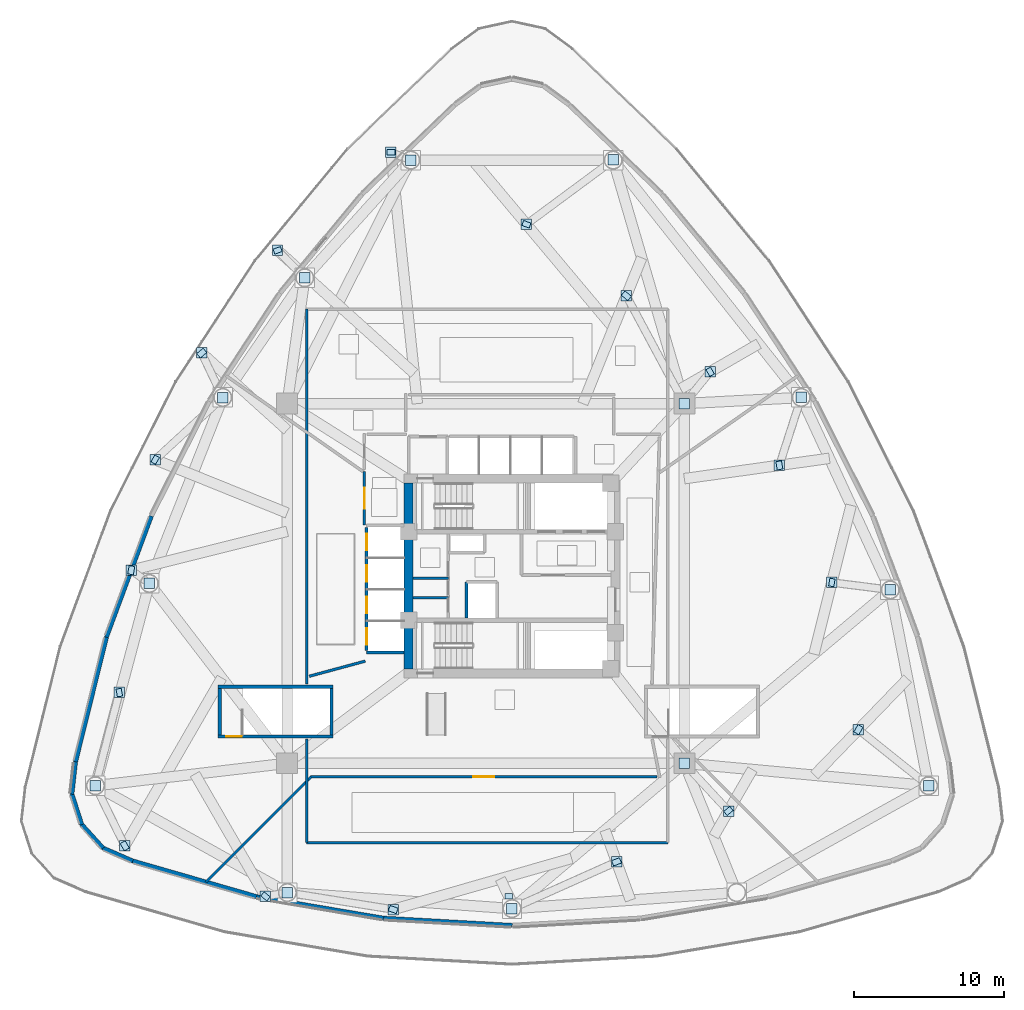
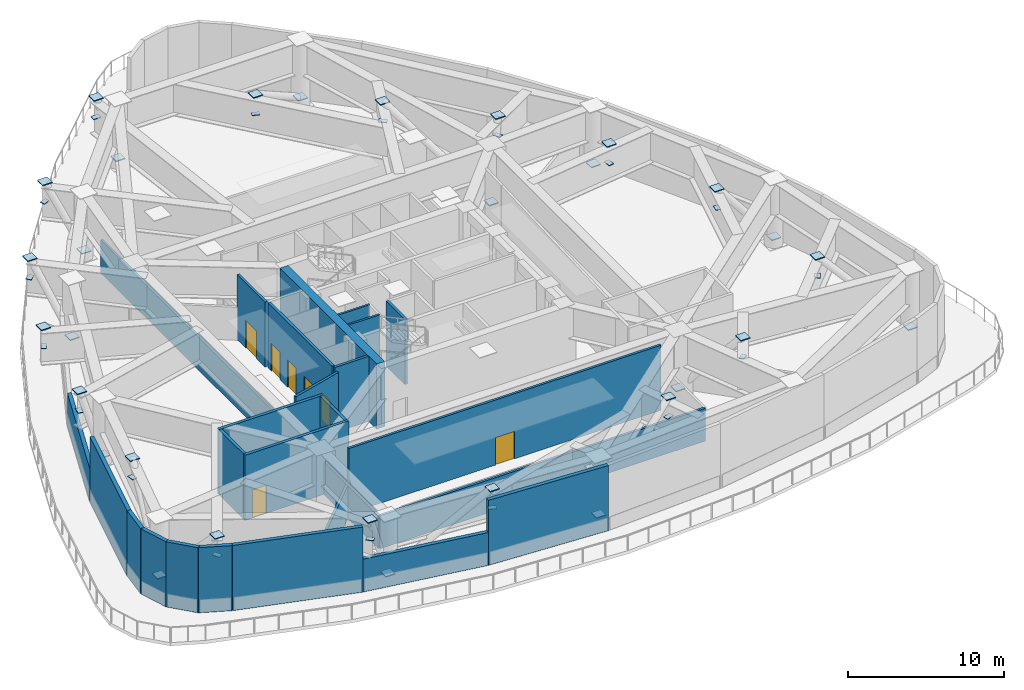
# One storey, part 3 of 9: 48 plates, 26 walls, 7 doors, 7 openings.
"""IFC4 building model written with IfcOpenShell, lengths in metres."""

from ifc_helpers import new_model, si_unit, direction, frame, frame_2d, origin, origin_2d, place, context, subcontext, project, spatial, rectangle, extrude, source, transform, mapped, material, layer, layer_set, type_object, type_shapes, element, fill, save


model = new_model("IFC4")

# Units and contexts
model_context = context("Model", 3, precision=1e-05, world=origin(), true_north=direction((0.0, 1.0)))
body_context = subcontext(model_context, "Body", "Model", "MODEL_VIEW")
ifc_project = project(units=[si_unit("LENGTHUNIT", "METRE"), si_unit("AREAUNIT", "SQUARE_METRE"), si_unit("VOLUMEUNIT", "CUBIC_METRE"), si_unit("PLANEANGLEUNIT", "RADIAN"), si_unit("MASSUNIT", "GRAM", prefix="KILO")], contexts=[model_context])

# Site, building, storey
site_placement = place(None, origin())
site = spatial("IfcSite", under=ifc_project, at=site_placement, CompositionType="ELEMENT")
building_placement = place(site_placement, origin())
building = spatial("IfcBuilding", under=site, at=building_placement, Name="Tavelor Broadcast Tower", CompositionType="ELEMENT")
storey_placement = place(building_placement, frame((0.0, 0.0, 22.199951171875)))
storey = spatial("IfcBuildingStorey", under=building, at=storey_placement, Name="L04", CompositionType="ELEMENT", Elevation=22.199951171875)

# Plates
ifc_material_1 = material(Name="Steel S460", Category="steel")
ifc_layer_1 = layer(ifc_material_1, 0.050048828125)
ifc_layer_set_1 = layer_set([ifc_layer_1], Name="Steel S460")
plate_type_1 = type_object("IfcPlateType", Name="Tube Hollow-End Cap Plate KN05 700x700x50", PredefinedType="USERDEFINED", material=ifc_layer_set_1)
shared_shape_1 = source(origin(), body_context, "Body", "SweptSolid", [
    extrude(rectangle(XDim=0.699951171875, YDim=0.699951171875, at=origin_2d()), origin(), (0.0, 0.0, 1.0), 0.074951171875),
])
type_shapes(plate_type_1, [shared_shape_1])
for number, where, z_axis, x_axis, name in (
    (1, (43.251220703125, 72.74951171875, 0.498046875), (0.0, 0.0, 1.0), (1.0, 0.0, 0.0), "L04 Hollow End Cap Plate KN05 #189"),
    (2, (41.919189453125, 73.267822265625, 5.376953125), (0.0, 0.0, 1.0), (1.0, 0.0, 0.0), "L04 Hollow End Cap Plate KN05 #190"),
    (3, (36.175048828125, 64.88818359375, 0.49951171875), (0.0, 0.0, 1.0), (1.0, 0.0, 0.0), "L04 Hollow End Cap Plate KN05 #191"),
    (4, (34.35107421875, 66.73291015625, 5.3759765625), (0.0, 0.0, 1.0), (1.0, 0.0, 0.0), "L04 Hollow End Cap Plate KN05 #192"),
    (5, (30.702880859375, 56.903564453125, 0.5), (0.0, 0.0, 1.0), (1.0, 0.0, 0.0), "L04 Hollow End Cap Plate KN05 #193"),
    (6, (29.28857421875, 59.879150390625, 5.375), (0.0, 0.0, 1.0), (1.0, 0.0, 0.0), "L04 Hollow End Cap Plate KN05 #194"),
    (7, (26.1806640625, 52.750244140625, 5.3720703125), (0.0, 0.0, 1.0), (1.0, 0.0, 0.0), "L04 Hollow End Cap Plate KN05 #195"),
    (8, (25.8037109375, 44.497314453125, 0.498046875), (0.0, 0.0, 1.0), (1.0, 0.0, 0.0), "L04 Hollow End Cap Plate KN05 #196"),
    (9, (24.586181640625, 45.38330078125, 5.376953125), (0.0, 0.0, 1.0), (1.0, 0.0, 0.0), "L04 Hollow End Cap Plate KN05 #197"),
    (10, (22.197021484375, 30.98828125, 0.50341796875), (0.0, 0.0, 1.0), (1.0, 0.0, 0.0), "L04 Hollow End Cap Plate KN05 #198"),
    (11, (23.797607421875, 37.22802734375, 5.37158203125), (0.0, 0.0, 1.0), (1.0, 0.0, 0.0), "L04 Hollow End Cap Plate KN05 #199"),
    (12, (24.16357421875, 26.980712890625, 5.37353515625), (0.0, 0.0, 1.0), (1.0, 0.0, 0.0), "L04 Hollow End Cap Plate KN05 #200"),
    (13, (35.016357421875, 23.871826171875, 0.498046875), (0.0, 0.0, 1.0), (1.0, 0.0, 0.0), "L04 Hollow End Cap Plate KN05 #201"),
    (14, (33.546630859375, 23.61474609375, 5.376953125), (0.0, 0.0, 1.0), (1.0, 0.0, 0.0), "L04 Hollow End Cap Plate KN05 #202"),
    (15, (42.08544921875, 22.738525390625, 5.37109375), (0.0, 0.0, 1.0), (1.0, 0.0, 0.0), "L04 Hollow End Cap Plate KN05 #203"),
    (16, (49.98828125, 22.794921875, 0.50439453125), (0.0, 0.0, 1.0), (1.0, 0.0, 0.0), "L04 Hollow End Cap Plate KN05 #204"),
    (17, (56.987060546875, 25.9267578125, 5.37060546875), (0.0, 0.0, 1.0), (1.0, 0.0, 0.0), "L04 Hollow End Cap Plate KN05 #205"),
    (18, (61.4931640625, 32.50732421875, 0.50146484375), (0.0, 0.0, 1.0), (1.0, 0.0, 0.0), "L04 Hollow End Cap Plate KN05 #206"),
    (19, (64.4501953125, 29.3076171875, 5.37353515625), (0.0, 0.0, 1.0), (1.0, 0.0, 0.0), "L04 Hollow End Cap Plate KN05 #207"),
    (20, (77.80908203125, 30.99267578125, 0.5029296875), (0.0, 0.0, 1.0), (1.0, 0.0, 0.0), "L04 Hollow End Cap Plate KN05 #208"),
    (21, (73.108642578125, 34.751220703125, 5.3720703125), (0.0, 0.0, 1.0), (1.0, 0.0, 0.0), "L04 Hollow End Cap Plate KN05 #209"),
    (22, (75.25048828125, 44.06884765625, 0.5009765625), (0.0, 0.0, 1.0), (1.0, 0.0, 0.0), "L04 Hollow End Cap Plate KN05 #210"),
    (23, (71.334716796875, 44.56591796875, 5.37451171875), (0.0, 0.0, 1.0), (1.0, 0.0, 0.0), "L04 Hollow End Cap Plate KN05 #211"),
    (24, (69.303955078125, 56.921142578125, 0.501953125), (0.0, 0.0, 1.0), (1.0, 0.0, 0.0), "L04 Hollow End Cap Plate KN05 #212"),
    (25, (67.83740234375, 52.37255859375, 5.373046875), (0.0, 0.0, 1.0), (1.0, 0.0, 0.0), "L04 Hollow End Cap Plate KN05 #213"),
    (26, (61.495361328125, 56.494384765625, 0.49951171875), (0.0, 0.0, 1.0), (1.0, 0.0, 0.0), "L04 Hollow End Cap Plate KN05 #214"),
    (27, (63.228759765625, 58.629638671875, 5.37548828125), (0.0, 0.0, 1.0), (1.0, 0.0, 0.0), "L04 Hollow End Cap Plate KN05 #215"),
    (28, (57.628662109375, 63.709228515625, 5.3701171875), (0.0, 0.0, 1.0), (1.0, 0.0, 0.0), "L04 Hollow End Cap Plate KN05 #216"),
    (29, (56.7626953125, 72.75830078125, 0.50439453125), (0.0, 0.0, 1.0), (1.0, 0.0, 0.0), "L04 Hollow End Cap Plate KN05 #217"),
    (30, (50.951904296875, 68.461181640625, 5.37109375), (0.0, 0.0, 1.0), (1.0, 0.0, 0.0), "L04 Hollow End Cap Plate KN05 #218"),
):
    element("IfcPlate", number, at=place(storey_placement, frame(where, z_axis=z_axis, x_axis=x_axis)), inside=storey, type_object=plate_type_1, Name=name, ObjectType="CAP PLATE", PredefinedType="USERDEFINED", context=body_context, shape_type="MappedRepresentation", body=[
        mapped(shared_shape_1, transform((0.0, 0.0, 0.0), scale=1.0)),
    ])
ifc_layer_2 = layer(ifc_material_1, 0.050048828125)
ifc_layer_set_2 = layer_set([ifc_layer_2], Name="Steel S460")
plate_type_2 = type_object("IfcPlateType", Name="Truss Node Gusset Plate KN01 560x380x50", PredefinedType="USERDEFINED", material=ifc_layer_set_2)
shared_shape_2 = source(origin(), body_context, "Body", "SweptSolid", [
    extrude(rectangle(XDim=0.56005859375, YDim=0.3798828125, at=origin_2d()), origin(), (0.0, 0.0, 1.0), 0.050048828125),
])
type_shapes(plate_type_2, [shared_shape_2])
for number, where, z_axis, x_axis, name in (
    (31, (41.923095703125, 73.266357421875, 3.8251953125), (0.0, 0.0, 1.0), (1.0, 0.0, 0.0), "L04 Transfer Truss Node Assembly KN01 #1"),
    (32, (29.292236328125, 59.87158203125, 3.8251953125), (0.0, 0.0, 1.0), (0.766044443119, 0.642787609687, 0.0), "L04 Transfer Truss Node Assembly KN01 #3"),
    (33, (24.58984375, 45.380615234375, 3.8251953125), (0.0, 0.0, 1.0), (0.173648177667, 0.984807753012, 0.0), "L04 Transfer Truss Node Assembly KN01 #5"),
    (34, (24.1591796875, 26.98974609375, 3.8251953125), (0.0, 0.0, 1.0), (-0.5, 0.866025403784, 0.0), "L04 Transfer Truss Node Assembly KN01 #7"),
    (35, (42.0732421875, 22.740478515625, 3.8251953125), (0.0, 0.0, 1.0), (-0.939692620786, 0.342020143326, 0.0), "L04 Transfer Truss Node Assembly KN01 #9"),
    (36, (56.975341796875, 25.92138671875, 3.8251953125), (0.0, 0.0, 1.0), (-0.939692620786, -0.342020143326, 0.0), "L04 Transfer Truss Node Assembly KN01 #11"),
    (37, (73.117919921875, 34.743896484375, 3.8251953125), (0.0, 0.0, 1.0), (-0.5, -0.866025403784, 0.0), "L04 Transfer Truss Node Assembly KN01 #13"),
    (38, (67.8408203125, 52.382568359375, 3.8251953125), (0.0, 0.0, 1.0), (0.173648177667, -0.984807753012, 0.0), "L04 Transfer Truss Node Assembly KN01 #15"),
    (39, (57.634765625, 63.69775390625, 3.8251953125), (0.0, 0.0, 1.0), (0.766044443119, -0.642787609687, 0.0), "L04 Transfer Truss Node Assembly KN01 #17"),
):
    element("IfcPlate", number, at=place(storey_placement, frame(where, z_axis=z_axis, x_axis=x_axis)), inside=storey, type_object=plate_type_2, Name=name, ObjectType="GUSSET PLATE", PredefinedType="USERDEFINED", context=body_context, shape_type="MappedRepresentation", body=[
        mapped(shared_shape_2, transform((0.0, 0.0, 0.0), scale=1.0)),
    ])
ifc_layer_3 = layer(ifc_material_1, 0.044921875)
ifc_layer_set_3 = layer_set([ifc_layer_3], Name="Steel S460")
plate_type_3 = type_object("IfcPlateType", Name="Truss Node Gusset Plate KN02 520x350x45", PredefinedType="USERDEFINED", material=ifc_layer_set_3)
shared_shape_3 = source(origin(), body_context, "Body", "SweptSolid", [
    extrude(rectangle(XDim=0.52001953125, YDim=0.35009765625, at=origin_2d()), origin(), (0.0, 0.0, 1.0), 0.044921875),
])
type_shapes(plate_type_3, [shared_shape_3])
for number, where, z_axis, x_axis, name in (
    (40, (34.356201171875, 66.727783203125, 3.82763671875), (0.0, 0.0, 1.0), (0.939692620786, 0.342020143326, 0.0), "L04 Transfer Truss Node Assembly KN02 #2"),
    (41, (26.189208984375, 52.75830078125, 3.82763671875), (0.0, 0.0, 1.0), (0.5, 0.866025403784, 0.0), "L04 Transfer Truss Node Assembly KN02 #4"),
    (42, (23.794677734375, 37.21630859375, 3.82763671875), (0.0, 0.0, 1.0), (-0.173648177667, 0.984807753012, 0.0), "L04 Transfer Truss Node Assembly KN02 #6"),
    (43, (33.55078125, 23.615478515625, 3.82763671875), (0.0, 0.0, 1.0), (-0.766044443119, 0.642787609687, 0.0), "L04 Transfer Truss Node Assembly KN02 #8"),
    (44, (49.78662109375, 23.617919921875, 3.82763671875), (0.0, 0.0, 1.0), (-1.0, 0.0, 0.0), "L04 Transfer Truss Node Assembly KN02 #10"),
    (45, (64.443603515625, 29.31494140625, 3.82763671875), (0.0, 0.0, 1.0), (-0.766044443119, -0.642787609687, 0.0), "L04 Transfer Truss Node Assembly KN02 #12"),
    (46, (71.343994140625, 44.564697265625, 3.82763671875), (0.0, 0.0, 1.0), (-0.173648177667, -0.984807753012, 0.0), "L04 Transfer Truss Node Assembly KN02 #14"),
    (47, (63.22412109375, 58.623779296875, 3.82763671875), (0.0, 0.0, 1.0), (0.5, -0.866025403784, 0.0), "L04 Transfer Truss Node Assembly KN02 #16"),
    (48, (50.9619140625, 68.468505859375, 3.82763671875), (0.0, 0.0, 1.0), (0.939692620786, -0.342020143326, 0.0), "L04 Transfer Truss Node Assembly KN02 #18"),
):
    element("IfcPlate", number, at=place(storey_placement, frame(where, z_axis=z_axis, x_axis=x_axis)), inside=storey, type_object=plate_type_3, Name=name, ObjectType="GUSSET PLATE", PredefinedType="USERDEFINED", context=body_context, shape_type="MappedRepresentation", body=[
        mapped(shared_shape_3, transform((0.0, 0.0, 0.0), scale=1.0)),
    ])

# Walls
ifc_material_2 = material(Name="Concrete C60/75", Category="concrete")
ifc_layer_4 = layer(ifc_material_2, 0.60009765625)
ifc_layer_set_4 = layer_set([ifc_layer_4], Name="Concrete C60/75")
wall_type_1 = type_object("IfcWallType", Name="Core Shear Wall 600 mm", PredefinedType="SHEAR", material=ifc_layer_set_4)
wall_1_placement = place(storey_placement, frame((43.10009765625, 38.800048828125, 0.0), z_axis=(0.0, 0.0, 1.0), x_axis=(0.0, 1.0, 0.0)))
element("IfcWall", 49, at=wall_1_placement, inside=storey, type_object=wall_type_1, Name="L04 Central Core Shear Wall W", PredefinedType="SHEAR", context=body_context, shape_type="SweptSolid", body=[
    extrude(rectangle(XDim=12.39990234375, YDim=0.60009765625, at=frame_2d((6.199951171875, 0.0))), origin(), (0.0, 0.0, 1.0), 5.10009765625),
])
ifc_material_3 = material(Name="Calcium Silicate Fire Board 180 mm", Category="gypsum")
ifc_layer_5 = layer(ifc_material_3, 0.179931640625)
ifc_layer_set_5 = layer_set([ifc_layer_5], Name="Calcium Silicate Fire Board 180 mm")
wall_type_2 = type_object("IfcWallType", Name="Fire-Rated Corridor Partition Wall 180 mm", PredefinedType="PARTITIONING", material=ifc_layer_set_5)
wall_2_placement = place(storey_placement, frame((36.300048828125, 27.199951171875, 0.0), z_axis=(0.0, 0.0, 1.0), x_axis=(1.0, 0.0, 0.0)))
element("IfcWall", 50, at=wall_2_placement, inside=storey, type_object=wall_type_2, Name="L04 Inner Plant Enclosure South Wall", PredefinedType="PARTITIONING", context=body_context, shape_type="SweptSolid", body=[
    extrude(rectangle(XDim=24.099853515625, YDim=0.179931640625, at=frame_2d((12.0498046875, 0.0))), origin(), (0.0, 0.0, 1.0), 2.574951171875),
])
wall_3_placement = place(storey_placement, frame((36.300048828125, 27.199951171875, 0.0), z_axis=(0.0, 0.0, 1.0), x_axis=(0.0, 1.0, 0.0)))
element("IfcWall", 51, at=wall_3_placement, inside=storey, type_object=wall_type_2, Name="L04 Inner Plant Enclosure West Wall", PredefinedType="PARTITIONING", context=body_context, shape_type="SweptSolid", body=[
    extrude(rectangle(XDim=6.920166015625, YDim=0.179931640625, at=frame_2d((3.4599609375, 0.0))), origin(), (0.0, 0.0, 1.0), 2.574951171875),
])
wall_4_placement = place(storey_placement, frame((36.300048828125, 37.780029296875, 0.0), z_axis=(0.0, 0.0, 1.0), x_axis=(0.0, 1.0, 0.0)))
element("IfcWall", 52, at=wall_4_placement, inside=storey, type_object=wall_type_2, Name="L04 Inner Plant Enclosure West Wall", PredefinedType="PARTITIONING", context=body_context, shape_type="SweptSolid", body=[
    extrude(rectangle(XDim=25.02001953125, YDim=0.179931640625, at=frame_2d((12.510009765625, 0.0))), origin(), (0.0, 0.0, 1.0), 2.574951171875),
])
wall_5_placement = place(storey_placement, frame((36.60009765625, 31.60009765625, 0.0), z_axis=(0.0, 0.0, 1.0), x_axis=(-0.707106781187, -0.707106781187, 0.0)))
element("IfcWall", 53, at=wall_5_placement, inside=storey, type_object=wall_type_2, Name="L04 Plant Quadrant Fire Wall", PredefinedType="PARTITIONING", context=body_context, shape_type="SweptSolid", body=[
    extrude(rectangle(XDim=9.93505859375, YDim=0.179931640625, at=frame_2d((4.967529296875, 0.0))), origin(), (0.0, 0.0, 1.0), 2.574951171875),
])

# Wall, opening, door
wall_6_placement = place(storey_placement, frame((40.14990234375, 48.389892578125, 0.0), z_axis=(0.0, 0.0, 1.0), x_axis=(0.0, 1.0, 0.0)))
wall_6 = element("IfcWall", 54, at=wall_6_placement, inside=storey, type_object=wall_type_2, Name="L04 Plant Corridor Fire Wall", PredefinedType="PARTITIONING", context=body_context, shape_type="SweptSolid", body=[
    extrude(rectangle(XDim=3.567138671875, YDim=0.179931640625, at=frame_2d((1.78369140625, 0.0))), origin(), (0.0, 0.0, 1.0), 5.10009765625),
])
opening_1_placement = place(wall_6_placement, frame((1.08349609375, 0.0, 0.0)))
opening_1 = element("IfcOpeningElement", 55, at=opening_1_placement, cuts=wall_6, Name="Opening DR41", PredefinedType="OPENING", context=body_context, shape_type="SweptSolid", body=[
    extrude(rectangle(XDim=1.39990234375, YDim=2.14990234375, at=frame_2d((0.699951171875, 1.074951171875))), frame((0.0, 0.10009765625, 0.0), z_axis=(0.0, -1.0, 0.0), x_axis=(1.0, 0.0, 0.0)), (0.0, 0.0, 1.0), 0.199951171875),
])
ifc_material_4 = material(Name="Steel S355", Category="steel")
door_type_1 = type_object("IfcDoorType", Name="Plant Room Double Fire Door 1400x2150", OperationType="NOTDEFINED", PredefinedType="DOOR", material=ifc_material_4)
door_1_placement = place(opening_1_placement, origin())
door_1 = element("IfcDoor", 56, at=door_1_placement, inside=storey, type_object=door_type_1, Name="L04 High-Zone Electrical Switchgear Plant Direct Corridor Door", OperationType="SINGLE_SWING_LEFT", OverallHeight=2.14990234375, OverallWidth=1.39990234375, PredefinedType="DOOR", context=body_context, shape_type="SweptSolid", body=[
    extrude(rectangle(XDim=1.39990234375, YDim=2.14990234375, at=frame_2d((0.699951171875, 1.074951171875))), frame((0.0, 0.02490234375, 0.0), z_axis=(0.0, -1.0, 0.0), x_axis=(1.0, 0.0, 0.0)), (0.0, 0.0, 1.0), 0.050048828125),
])
fill(opening_1, door_1)

wall_7_placement = place(storey_placement, frame((59.665283203125, 31.60009765625, 0.0), z_axis=(0.0, 0.0, 1.0), x_axis=(-1.0, 0.0, 0.0)))
wall_7 = element("IfcWall", 57, at=wall_7_placement, inside=storey, type_object=wall_type_2, Name="L04 Plant Corridor Fire Wall", PredefinedType="PARTITIONING", context=body_context, shape_type="SweptSolid", body=[
    extrude(rectangle(XDim=23.125244140625, YDim=0.179931640625, at=frame_2d((11.5625, 0.0))), origin(), (0.0, 0.0, 1.0), 5.10009765625),
])
opening_2_placement = place(wall_7_placement, frame((10.86279296875, 0.0, 0.0)))
opening_2 = element("IfcOpeningElement", 58, at=opening_2_placement, cuts=wall_7, Name="Opening DR41", PredefinedType="OPENING", context=body_context, shape_type="SweptSolid", body=[
    extrude(rectangle(XDim=1.39990234375, YDim=2.14990234375, at=frame_2d((0.699951171875, 1.074951171875))), frame((0.0, 0.10009765625, 0.0), z_axis=(0.0, -1.0, 0.0), x_axis=(1.0, 0.0, 0.0)), (0.0, 0.0, 1.0), 0.199951171875),
])
door_2_placement = place(opening_2_placement, origin())
door_2 = element("IfcDoor", 59, at=door_2_placement, inside=storey, type_object=door_type_1, Name="L04 Zone Chiller and Heat Exchanger Plant Direct Corridor Door", OperationType="SINGLE_SWING_LEFT", OverallHeight=2.14990234375, OverallWidth=1.39990234375, PredefinedType="DOOR", context=body_context, shape_type="SweptSolid", body=[
    extrude(rectangle(XDim=1.39990234375, YDim=2.14990234375, at=frame_2d((0.699951171875, 1.074951171875))), frame((0.0, 0.02490234375, 0.0), z_axis=(0.0, -1.0, 0.0), x_axis=(1.0, 0.0, 0.0)), (0.0, 0.0, 1.0), 0.050048828125),
])
fill(opening_2, door_2)

# Walls
wall_8_placement = place(storey_placement, frame((36.47216796875, 38.306396484375, 0.0), z_axis=(0.0, 0.0, 1.0), x_axis=(0.96539001514, 0.260810503371, 0.0)))
element("IfcWall", 60, at=wall_8_placement, inside=storey, type_object=wall_type_2, Name="L04 Plant Corridor Fire Wall", PredefinedType="PARTITIONING", context=body_context, shape_type="SweptSolid", body=[
    extrude(rectangle(XDim=3.869873046875, YDim=0.179931640625, at=frame_2d((1.93505859375, 0.0))), origin(), (0.0, 0.0, 1.0), 5.10009765625),
])
ifc_material_5 = material(Name="Precast Concrete C40/50", Category="concrete")
ifc_layer_6 = layer(ifc_material_5, 0.280029296875)
ifc_layer_set_6 = layer_set([ifc_layer_6], Name="Precast Concrete C40/50")
wall_type_3 = type_object("IfcWallType", Name="Insulated Precast Terracotta Facade Wall 280 mm", PredefinedType="STANDARD", material=ifc_layer_set_6)
wall_9_placement = place(storey_placement, frame((25.936767578125, 48.999755859375, 0.0), z_axis=(0.0, 0.0, 1.0), x_axis=(-0.347780740283, -0.937575893828, 0.0)))
element("IfcWall", 61, at=wall_9_placement, inside=storey, type_object=wall_type_3, Name="L04 Precast Terracotta Facade Wall 09", PredefinedType="STANDARD", context=body_context, shape_type="SweptSolid", body=[
    extrude(rectangle(XDim=8.626220703125, YDim=0.280029296875, at=frame_2d((4.31298828125, 0.0))), origin(), (0.0, 0.0, 1.0), 2.574951171875),
])
wall_10_placement = place(storey_placement, frame((22.945556640625, 40.940673828125, 0.0), z_axis=(0.0, 0.0, 1.0), x_axis=(-0.240550318402, -0.970636669571, 0.0)))
element("IfcWall", 62, at=wall_10_placement, inside=storey, type_object=wall_type_3, Name="L04 Precast Terracotta Facade Wall 10", PredefinedType="STANDARD", context=body_context, shape_type="SweptSolid", body=[
    extrude(rectangle(XDim=8.624755859375, YDim=0.280029296875, at=frame_2d((4.3125, 0.0))), origin(), (0.0, 0.0, 1.0), 5.10009765625),
])
wall_11_placement = place(storey_placement, frame((20.876220703125, 32.5986328125, 0.0), z_axis=(0.0, 0.0, 1.0), x_axis=(-0.112459801622, -0.993656275087, 0.0)))
element("IfcWall", 63, at=wall_11_placement, inside=storey, type_object=wall_type_3, Name="L04 Precast Terracotta Facade Wall 11", PredefinedType="STANDARD", context=body_context, shape_type="SweptSolid", body=[
    extrude(rectangle(XDim=2.1796875, YDim=0.280029296875, at=frame_2d((1.08984375, 0.0))), origin(), (0.0, 0.0, 1.0), 5.10009765625),
])
wall_12_placement = place(storey_placement, frame((20.62841796875, 30.4619140625, 0.0), z_axis=(0.0, 0.0, 1.0), x_axis=(0.306507049893, -0.951868388154, 0.0)))
element("IfcWall", 64, at=wall_12_placement, inside=storey, type_object=wall_type_3, Name="L04 Precast Terracotta Facade Wall 12", PredefinedType="STANDARD", context=body_context, shape_type="SweptSolid", body=[
    extrude(rectangle(XDim=2.15869140625, YDim=0.280029296875, at=frame_2d((1.079345703125, 0.0))), origin(), (0.0, 0.0, 1.0), 5.10009765625),
])
wall_13_placement = place(storey_placement, frame((21.275390625, 28.4326171875, 0.0), z_axis=(0.0, 0.0, 1.0), x_axis=(0.671111744972, -0.74135620707, 0.0)))
element("IfcWall", 65, at=wall_13_placement, inside=storey, type_object=wall_type_3, Name="L04 Precast Terracotta Facade Wall 13", PredefinedType="STANDARD", context=body_context, shape_type="SweptSolid", body=[
    extrude(rectangle(XDim=2.158447265625, YDim=0.280029296875, at=frame_2d((1.0791015625, 0.0))), origin(), (0.0, 0.0, 1.0), 5.10009765625),
])
wall_14_placement = place(storey_placement, frame((22.7001953125, 26.849609375, 0.0), z_axis=(0.0, 0.0, 1.0), x_axis=(0.916670714742, -0.399643341911, 0.0)))
element("IfcWall", 66, at=wall_14_placement, inside=storey, type_object=wall_type_3, Name="L04 Precast Terracotta Facade Wall 14", PredefinedType="STANDARD", context=body_context, shape_type="SweptSolid", body=[
    extrude(rectangle(XDim=2.1796875, YDim=0.280029296875, at=frame_2d((1.08984375, 0.0))), origin(), (0.0, 0.0, 1.0), 5.10009765625),
])
wall_15_placement = place(storey_placement, frame((24.669921875, 25.98876953125, 0.0), z_axis=(0.0, 0.0, 1.0), x_axis=(0.960875037172, -0.276982243003, 0.0)))
element("IfcWall", 67, at=wall_15_placement, inside=storey, type_object=wall_type_3, Name="L04 Precast Terracotta Facade Wall 15", PredefinedType="STANDARD", context=body_context, shape_type="SweptSolid", body=[
    extrude(rectangle(XDim=8.624755859375, YDim=0.280029296875, at=frame_2d((4.3125, 0.0))), origin(), (0.0, 0.0, 1.0), 5.10009765625),
])
wall_16_placement = place(storey_placement, frame((32.927978515625, 23.6064453125, 0.0), z_axis=(0.0, 0.0, 1.0), x_axis=(0.985859493825, -0.167574038667, 0.0)))
element("IfcWall", 68, at=wall_16_placement, inside=storey, type_object=wall_type_3, Name="L04 Precast Terracotta Facade Wall 16", PredefinedType="STANDARD", context=body_context, shape_type="SweptSolid", body=[
    extrude(rectangle(XDim=8.62646484375, YDim=0.280029296875, at=frame_2d((4.313232421875, 0.0))), origin(), (0.0, 0.0, 1.0), 2.574951171875),
])
wall_17_placement = place(storey_placement, frame((41.402587890625, 22.164306640625, 0.0), z_axis=(0.0, 0.0, 1.0), x_axis=(0.998425321557, -0.056097034452, 0.0)))
element("IfcWall", 69, at=wall_17_placement, inside=storey, type_object=wall_type_3, Name="L04 Precast Terracotta Facade Wall 17", PredefinedType="STANDARD", context=body_context, shape_type="SweptSolid", body=[
    extrude(rectangle(XDim=8.6259765625, YDim=0.280029296875, at=frame_2d((4.31298828125, 0.0))), origin(), (0.0, 0.0, 1.0), 5.10009765625),
])
ifc_material_6 = material(Name="Gypsum Acoustic Plasterboard 150 mm", Category="gypsum")
ifc_layer_7 = layer(ifc_material_6, 0.14990234375)
ifc_layer_set_7 = layer_set([ifc_layer_7], Name="Gypsum Acoustic Plasterboard 150 mm")
wall_type_4 = type_object("IfcWallType", Name="Interior Acoustic Partition Wall 150 mm", PredefinedType="PARTITIONING", material=ifc_layer_set_7)
for number, where, z_axis, x_axis, name in (
    (70, (43.39990234375, 43.550048828125, 0.0), (0.0, 0.0, 1.0), (1.0, 0.0, 0.0), "L04 Core Split Wall B1"),
    (71, (43.39990234375, 44.85009765625, 0.0), (0.0, 0.0, 1.0), (1.0, 0.0, 0.0), "L04 Core Split Wall B2"),
):
    element("IfcWall", number, at=place(storey_placement, frame(where, z_axis=z_axis, x_axis=x_axis)), inside=storey, type_object=wall_type_4, Name=name, PredefinedType="PARTITIONING", context=body_context, shape_type="SweptSolid", body=[
        extrude(rectangle(XDim=2.35009765625, YDim=0.14990234375, at=frame_2d((1.175048828125, 0.0))), origin(), (0.0, 0.0, 1.0), 5.10009765625),
    ])

# Wall, openings, doors
ifc_material_7 = material(Name="Concrete Blockwork 200 mm", Category="masonry")
ifc_layer_8 = layer(ifc_material_7, 0.199951171875)
ifc_layer_set_8 = layer_set([ifc_layer_8], Name="Concrete Blockwork 200 mm")
wall_type_5 = type_object("IfcWallType", Name="Lift Hoistway Rated Front Wall 200 mm", PredefinedType="PARTITIONING", material=ifc_layer_set_8)
wall_18_placement = place(storey_placement, frame((40.300048828125, 40.02001953125, 0.0), z_axis=(0.0, 0.0, 1.0), x_axis=(0.0, 1.0, 0.0)))
wall_18 = element("IfcWall", 72, at=wall_18_placement, inside=storey, type_object=wall_type_5, Name="L04 Low-Rise Lift Hoistway Front Wall", PredefinedType="PARTITIONING", context=body_context, shape_type="SweptSolid", body=[
    extrude(rectangle(XDim=8.2099609375, YDim=0.199951171875, at=frame_2d((4.10498046875, 0.0))), origin(), (0.0, 0.0, 1.0), 5.10009765625),
])
opening_3_placement = place(wall_18_placement, frame((0.405029296875, 0.0, 0.0)))
opening_3 = element("IfcOpeningElement", 73, at=opening_3_placement, cuts=wall_18, Name="Opening LD01", PredefinedType="OPENING", context=body_context, shape_type="SweptSolid", body=[
    extrude(rectangle(XDim=1.10009765625, YDim=2.14990234375, at=frame_2d((0.550048828125, 1.074951171875))), frame((0.0, 0.10986328125, 0.0), z_axis=(0.0, -1.0, 0.0), x_axis=(1.0, 0.0, 0.0)), (0.0, 0.0, 1.0), 0.219970703125),
])
opening_4_placement = place(wall_18_placement, frame((2.5048828125, 0.0, 0.0)))
opening_4 = element("IfcOpeningElement", 74, at=opening_4_placement, cuts=wall_18, Name="Opening LD01", PredefinedType="OPENING", context=body_context, shape_type="SweptSolid", body=[
    extrude(rectangle(XDim=1.10009765625, YDim=2.14990234375, at=frame_2d((0.550048828125, 1.074951171875))), frame((0.0, 0.10986328125, 0.0), z_axis=(0.0, -1.0, 0.0), x_axis=(1.0, 0.0, 0.0)), (0.0, 0.0, 1.0), 0.219970703125),
])
opening_5_placement = place(wall_18_placement, frame((4.60498046875, 0.0, 0.0)))
opening_5 = element("IfcOpeningElement", 75, at=opening_5_placement, cuts=wall_18, Name="Opening LD01", PredefinedType="OPENING", context=body_context, shape_type="SweptSolid", body=[
    extrude(rectangle(XDim=1.10009765625, YDim=2.14990234375, at=frame_2d((0.550048828125, 1.074951171875))), frame((0.0, 0.10986328125, 0.0), z_axis=(0.0, -1.0, 0.0), x_axis=(1.0, 0.0, 0.0)), (0.0, 0.0, 1.0), 0.219970703125),
])
opening_6_placement = place(wall_18_placement, frame((6.705078125, 0.0, 0.0)))
opening_6 = element("IfcOpeningElement", 76, at=opening_6_placement, cuts=wall_18, Name="Opening LD01", PredefinedType="OPENING", context=body_context, shape_type="SweptSolid", body=[
    extrude(rectangle(XDim=1.10009765625, YDim=2.14990234375, at=frame_2d((0.550048828125, 1.074951171875))), frame((0.0, 0.10986328125, 0.0), z_axis=(0.0, -1.0, 0.0), x_axis=(1.0, 0.0, 0.0)), (0.0, 0.0, 1.0), 0.219970703125),
])
ifc_material_8 = material(Name="Brushed Stainless Steel", Category="steel")
door_type_2 = type_object("IfcDoorType", Name="Passenger Lift Sliding Landing Door 1100x2150", OperationType="NOTDEFINED", PredefinedType="DOOR", material=ifc_material_8)
door_3_placement = place(opening_3_placement, origin())
door_3 = element("IfcDoor", 77, at=door_3_placement, inside=storey, type_object=door_type_2, Name="L04 Lift PLL1 Sliding Landing Door", OperationType="SLIDING_TO_LEFT", OverallHeight=2.14990234375, OverallWidth=1.10009765625, PredefinedType="DOOR", context=body_context, shape_type="SweptSolid", body=[
    extrude(rectangle(XDim=1.10009765625, YDim=2.14990234375, at=frame_2d((0.550048828125, 1.074951171875))), frame((0.0, 0.02490234375, 0.0), z_axis=(0.0, -1.0, 0.0), x_axis=(1.0, 0.0, 0.0)), (0.0, 0.0, 1.0), 0.050048828125),
])
fill(opening_3, door_3)
door_4_placement = place(opening_4_placement, origin())
door_4 = element("IfcDoor", 78, at=door_4_placement, inside=storey, type_object=door_type_2, Name="L04 Lift PLL2 Sliding Landing Door", OperationType="SLIDING_TO_RIGHT", OverallHeight=2.14990234375, OverallWidth=1.10009765625, PredefinedType="DOOR", context=body_context, shape_type="SweptSolid", body=[
    extrude(rectangle(XDim=1.10009765625, YDim=2.14990234375, at=frame_2d((0.550048828125, 1.074951171875))), frame((0.0, 0.02490234375, 0.0), z_axis=(0.0, -1.0, 0.0), x_axis=(1.0, 0.0, 0.0)), (0.0, 0.0, 1.0), 0.050048828125),
])
fill(opening_4, door_4)
door_5_placement = place(opening_5_placement, origin())
door_5 = element("IfcDoor", 79, at=door_5_placement, inside=storey, type_object=door_type_2, Name="L04 Lift PLL3 Sliding Landing Door", OperationType="SLIDING_TO_LEFT", OverallHeight=2.14990234375, OverallWidth=1.10009765625, PredefinedType="DOOR", context=body_context, shape_type="SweptSolid", body=[
    extrude(rectangle(XDim=1.10009765625, YDim=2.14990234375, at=frame_2d((0.550048828125, 1.074951171875))), frame((0.0, 0.02490234375, 0.0), z_axis=(0.0, -1.0, 0.0), x_axis=(1.0, 0.0, 0.0)), (0.0, 0.0, 1.0), 0.050048828125),
])
fill(opening_5, door_5)
door_6_placement = place(opening_6_placement, origin())
door_6 = element("IfcDoor", 80, at=door_6_placement, inside=storey, type_object=door_type_2, Name="L04 Lift PLL4 Sliding Landing Door", OperationType="SLIDING_TO_RIGHT", OverallHeight=2.14990234375, OverallWidth=1.10009765625, PredefinedType="DOOR", context=body_context, shape_type="SweptSolid", body=[
    extrude(rectangle(XDim=1.10009765625, YDim=2.14990234375, at=frame_2d((0.550048828125, 1.074951171875))), frame((0.0, 0.02490234375, 0.0), z_axis=(0.0, -1.0, 0.0), x_axis=(1.0, 0.0, 0.0)), (0.0, 0.0, 1.0), 0.050048828125),
])
fill(opening_6, door_6)

# Walls
ifc_layer_9 = layer(ifc_material_7, 0.199951171875)
ifc_layer_set_9 = layer_set([ifc_layer_9], Name="Concrete Blockwork 200 mm")
wall_type_6 = type_object("IfcWallType", Name="Lift and Riser Shaft Enclosure Wall 200 mm", PredefinedType="PARTITIONING", material=ifc_layer_set_9)
wall_19_placement = place(storey_placement, frame((40.300048828125, 39.89990234375, 0.0), z_axis=(0.0, 0.0, 1.0), x_axis=(1.0, 0.0, 0.0)))
element("IfcWall", 81, at=wall_19_placement, inside=storey, type_object=wall_type_6, Name="L04 Low-Rise Lift Shaft South Wall", PredefinedType="PARTITIONING", context=body_context, shape_type="SweptSolid", body=[
    extrude(rectangle(XDim=2.5, YDim=0.199951171875, at=frame_2d((1.25, 0.0))), origin(), (0.0, 0.0, 1.0), 5.10009765625),
])
wall_20_placement = place(storey_placement, frame((46.949951171875, 42.199951171875, 0.0), z_axis=(0.0, 0.0, 1.0), x_axis=(0.0, 1.0, 0.0)))
element("IfcWall", 82, at=wall_20_placement, inside=storey, type_object=wall_type_6, Name="L04 Mid-Rise Lift PLM4 West Wall", PredefinedType="PARTITIONING", context=body_context, shape_type="SweptSolid", body=[
    extrude(rectangle(XDim=2.400146484375, YDim=0.199951171875, at=frame_2d((1.2001953125, 0.0))), origin(), (0.0, 0.0, 1.0), 5.10009765625),
])

# Wall, opening, door
ifc_material_9 = material(Name="Concrete C40/50", Category="concrete")
ifc_layer_10 = layer(ifc_material_9, 0.219970703125)
ifc_layer_set_10 = layer_set([ifc_layer_10], Name="Concrete C40/50")
wall_type_7 = type_object("IfcWallType", Name="Structural Stairwell Shear Wall 220 mm", PredefinedType="SHEAR", material=ifc_layer_set_10)
wall_21_placement = place(storey_placement, frame((30.3798828125, 34.2900390625, 0.0), z_axis=(0.0, 0.0, 1.0), x_axis=(1.0, 0.0, 0.0)))
wall_21 = element("IfcWall", 83, at=wall_21_placement, inside=storey, type_object=wall_type_7, Name="L04 Stair ST3 Structural Shaft Wall S", PredefinedType="SHEAR", context=body_context, shape_type="SweptSolid", body=[
    extrude(rectangle(XDim=7.690185546875, YDim=0.219970703125, at=frame_2d((3.84521484375, 0.0))), origin(), (0.0, 0.0, 1.0), 5.10009765625),
])
opening_7_placement = place(wall_21_placement, frame((0.550048828125, 0.0, 0.0)))
opening_7 = element("IfcOpeningElement", 84, at=opening_7_placement, cuts=wall_21, Name="Opening DR11", PredefinedType="OPENING", context=body_context, shape_type="SweptSolid", body=[
    extrude(rectangle(XDim=1.050048828125, YDim=2.199951171875, at=frame_2d((0.52490234375, 1.10009765625))), frame((0.0, 0.1201171875, 0.0), z_axis=(0.0, -1.0, 0.0), x_axis=(1.0, 0.0, 0.0)), (0.0, 0.0, 1.0), 0.239990234375),
])
door_type_3 = type_object("IfcDoorType", Name="Stair Core Fire Escape Door 1050x2200", OperationType="NOTDEFINED", PredefinedType="DOOR", material=ifc_material_4)
door_7_placement = place(opening_7_placement, origin())
door_7 = element("IfcDoor", 85, at=door_7_placement, inside=storey, type_object=door_type_3, Name="L04 Stair ST3 Protected Fire Door", OperationType="SINGLE_SWING_RIGHT", OverallHeight=2.199951171875, OverallWidth=1.050048828125, PredefinedType="DOOR", context=body_context, shape_type="SweptSolid", body=[
    extrude(rectangle(XDim=1.050048828125, YDim=2.199951171875, at=frame_2d((0.52490234375, 1.10009765625))), frame((0.0, 0.02490234375, 0.0), z_axis=(0.0, -1.0, 0.0), x_axis=(1.0, 0.0, 0.0)), (0.0, 0.0, 1.0), 0.050048828125),
])
fill(opening_7, door_7)

# Walls
wall_22_placement = place(storey_placement, frame((30.3798828125, 37.610107421875, 0.0), z_axis=(0.0, 0.0, 1.0), x_axis=(1.0, 0.0, 0.0)))
element("IfcWall", 86, at=wall_22_placement, inside=storey, type_object=wall_type_7, Name="L04 Stair ST3 Structural Shaft Wall N", PredefinedType="SHEAR", context=body_context, shape_type="SweptSolid", body=[
    extrude(rectangle(XDim=7.690185546875, YDim=0.219970703125, at=frame_2d((3.84521484375, 0.0))), origin(), (0.0, 0.0, 1.0), 5.10009765625),
])
for number, where, z_axis, x_axis, name in (
    (87, (37.9599609375, 34.39990234375, 0.0), (0.0, 0.0, 1.0), (0.0, 1.0, 0.0), "L04 Stair ST3 Structural Shaft Wall E"),
    (88, (30.489990234375, 34.39990234375, 0.0), (0.0, 0.0, 1.0), (0.0, 1.0, 0.0), "L04 Stair ST3 Structural Shaft Wall W"),
):
    element("IfcWall", number, at=place(storey_placement, frame(where, z_axis=z_axis, x_axis=x_axis)), inside=storey, type_object=wall_type_7, Name=name, PredefinedType="SHEAR", context=body_context, shape_type="SweptSolid", body=[
        extrude(rectangle(XDim=3.10009765625, YDim=0.219970703125, at=frame_2d((1.550048828125, 0.0))), origin(), (0.0, 0.0, 1.0), 5.10009765625),
    ])

save(model, "model.ifc")
